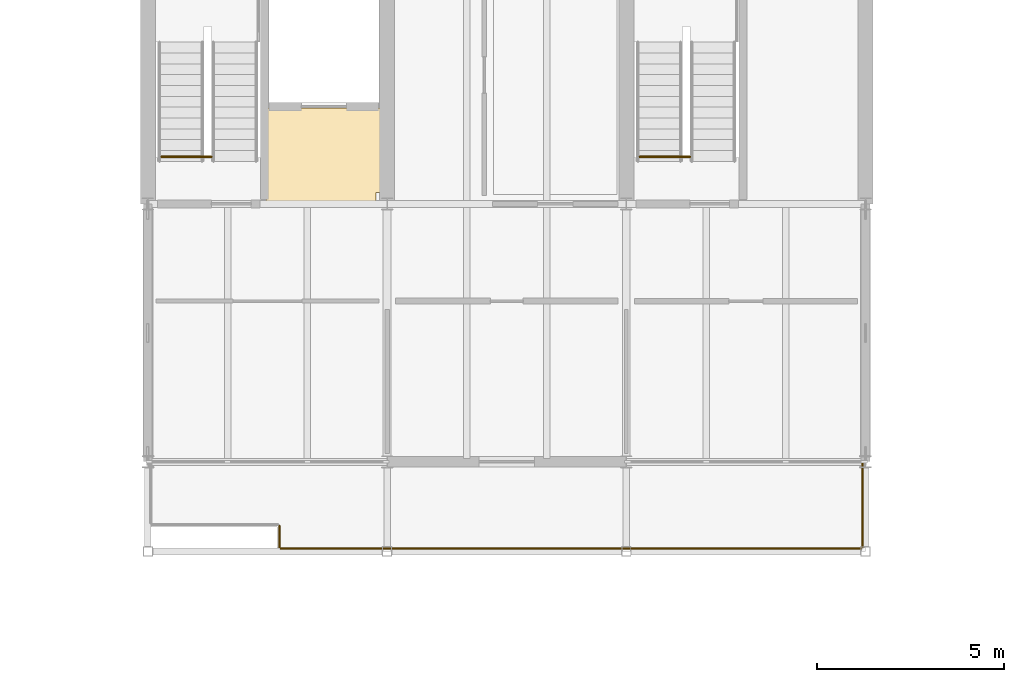
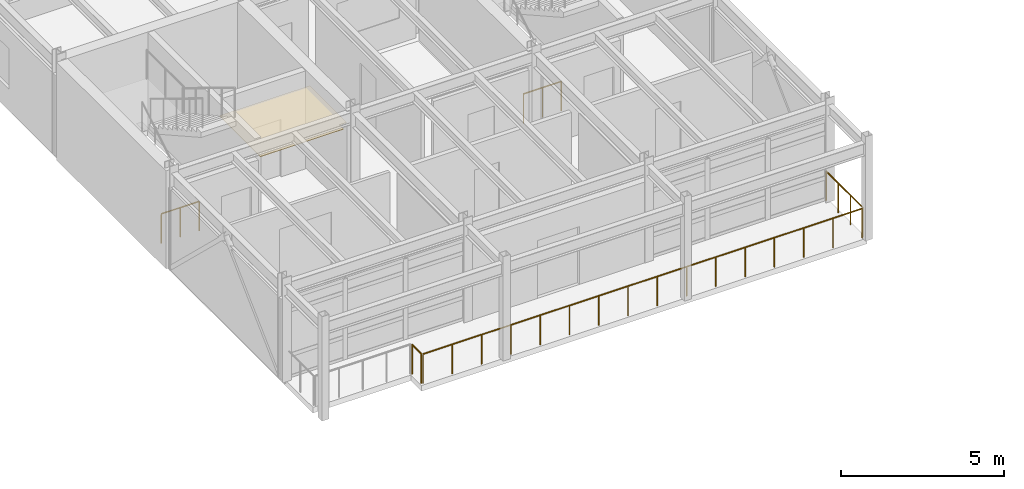
# One storey, part 47 of 49: 5 railings, 1 covering.
"""IFC4 building model written with IfcOpenShell, lengths in metres."""

from ifc_helpers import new_model, si_unit, direction, frame, origin, origin_2d, place, context, subcontext, project, spatial, polyline, circle, outline, extrude, material, layer, layer_set, type_object, element, save


model = new_model("IFC4")

# Units and contexts
model_context = context("Model", 3, precision=1e-05, world=origin(), true_north=direction((0.0, 1.0)))
body_context = subcontext(model_context, "Body", "Model", "MODEL_VIEW")
ifc_project = project(units=[si_unit("LENGTHUNIT", "METRE"), si_unit("AREAUNIT", "SQUARE_METRE"), si_unit("VOLUMEUNIT", "CUBIC_METRE"), si_unit("PLANEANGLEUNIT", "RADIAN"), si_unit("MASSUNIT", "GRAM", prefix="KILO")], contexts=[model_context])

# Site, building, storey
site_placement = place(None, origin())
site = spatial("IfcSite", under=ifc_project, at=site_placement, CompositionType="ELEMENT")
building_placement = place(site_placement, origin())
building = spatial("IfcBuilding", under=site, at=building_placement, Name="Trelmorton Wharf Fire Station", CompositionType="ELEMENT")
storey_placement = place(building_placement, frame((0.0, 0.0, 9.60009765625)))
storey = spatial("IfcBuildingStorey", under=building, at=storey_placement, Name="L02", CompositionType="ELEMENT", Elevation=9.60009765625)

# Covering
ifc_material_1 = material(Name="Mineral fibre acoustic ceiling")
ifc_layer = layer(ifc_material_1, 0.02001953125)
ifc_layer_set = layer_set([ifc_layer], Name="Mineral fibre acoustic ceiling")
covering_type = type_object("IfcCoveringType", Name="CV_CEIL_ACOU", PredefinedType="CEILING", material=ifc_layer_set)
covering_placement = place(storey_placement, frame((0.0, 0.0, 2.97998046875)))
element("IfcCovering", 1, at=covering_placement, inside=storey, type_object=covering_type, Name="CV-CLG-036", PredefinedType="CEILING", context=body_context, shape_type="SweptSolid", body=[
    extrude(outline(polyline([(73.9599609375, 67.239990234375), (73.9599609375, 69.760009765625), (77.159912109375, 69.760009765625), (77.159912109375, 67.5), (76.89990234375, 67.5), (76.89990234375, 67.239990234375), (73.9599609375, 67.239990234375)])), origin(), (0.0, 0.0, 1.0), 0.02001953125),
])

# Railings
ifc_material_2 = material(Name="Signal-red architectural steel Grade 350", Category="steel")
railing_type_1 = type_object("IfcRailingType", Name="RL_BAL_RED", PredefinedType="BALUSTRADE", material=ifc_material_2)
railing_1_placement = place(storey_placement, frame((74.320068359375, 58.580078125, 0.0)))
element("IfcRailing", 2, at=railing_1_placement, inside=storey, type_object=railing_type_1, Name="RL-DECK-L02-059", PredefinedType="BALUSTRADE", context=body_context, shape_type="SweptSolid", body=[
    extrude(circle(Radius=0.02392578125, at=origin_2d()), frame((0.0, 0.0, 1.09619140625), z_axis=(0.0, -1.0, 0.0), x_axis=(1.0, 0.0, 0.0)), (0.0, 0.0, 1.0), 0.56005859375),
    extrude(circle(Radius=0.02099609375, at=origin_2d()), origin(), (0.0, 0.0, 1.0), 1.072021484375),
    extrude(circle(Radius=0.02099609375, at=origin_2d()), frame((0.0, -0.56005859375, 0.0)), (0.0, 0.0, 1.0), 1.072021484375),
])
railing_2_placement = place(storey_placement, frame((74.360107421875, 57.97998046875, 0.0)))
element("IfcRailing", 3, at=railing_2_placement, inside=storey, type_object=railing_type_1, Name="RL-DECK-L02-060", PredefinedType="BALUSTRADE", context=body_context, shape_type="SweptSolid", body=[
    extrude(circle(Radius=0.02392578125, at=origin_2d()), frame((0.0, 0.0, 1.09619140625), z_axis=(1.0, 0.0, 0.0), x_axis=(0.0, 1.0, 0.0)), (0.0, 0.0, 1.0), 15.519775390625),
    extrude(circle(Radius=0.02099609375, at=origin_2d()), origin(), (0.0, 0.0, 1.0), 1.072021484375),
    extrude(circle(Radius=0.02099609375, at=origin_2d()), frame((1.03466796875, 0.0, 0.0)), (0.0, 0.0, 1.0), 1.072021484375),
    extrude(circle(Radius=0.02099609375, at=origin_2d()), frame((2.0693359375, 0.0, 0.0)), (0.0, 0.0, 1.0), 1.072021484375),
    extrude(circle(Radius=0.02099609375, at=origin_2d()), frame((3.10400390625, 0.0, 0.0)), (0.0, 0.0, 1.0), 1.072021484375),
    extrude(circle(Radius=0.02099609375, at=origin_2d()), frame((4.138671875, 0.0, 0.0)), (0.0, 0.0, 1.0), 1.072021484375),
    extrude(circle(Radius=0.02099609375, at=origin_2d()), frame((5.17333984375, 0.0, 0.0)), (0.0, 0.0, 1.0), 1.072021484375),
    extrude(circle(Radius=0.02099609375, at=origin_2d()), frame((6.2080078125, 0.0, 0.0)), (0.0, 0.0, 1.0), 1.072021484375),
    extrude(circle(Radius=0.02099609375, at=origin_2d()), frame((7.24267578125, 0.0, 0.0)), (0.0, 0.0, 1.0), 1.072021484375),
    extrude(circle(Radius=0.02099609375, at=origin_2d()), frame((8.277099609375, 0.0, 0.0)), (0.0, 0.0, 1.0), 1.072021484375),
    extrude(circle(Radius=0.02099609375, at=origin_2d()), frame((9.311767578125, 0.0, 0.0)), (0.0, 0.0, 1.0), 1.072021484375),
    extrude(circle(Radius=0.02099609375, at=origin_2d()), frame((10.346435546875, 0.0, 0.0)), (0.0, 0.0, 1.0), 1.072021484375),
    extrude(circle(Radius=0.02099609375, at=origin_2d()), frame((11.381103515625, 0.0, 0.0)), (0.0, 0.0, 1.0), 1.072021484375),
    extrude(circle(Radius=0.02099609375, at=origin_2d()), frame((12.415771484375, 0.0, 0.0)), (0.0, 0.0, 1.0), 1.072021484375),
    extrude(circle(Radius=0.02099609375, at=origin_2d()), frame((13.450439453125, 0.0, 0.0)), (0.0, 0.0, 1.0), 1.072021484375),
    extrude(circle(Radius=0.02099609375, at=origin_2d()), frame((14.485107421875, 0.0, 0.0)), (0.0, 0.0, 1.0), 1.072021484375),
    extrude(circle(Radius=0.02099609375, at=origin_2d()), frame((15.519775390625, 0.0, 0.0)), (0.0, 0.0, 1.0), 1.072021484375),
])
railing_3_placement = place(storey_placement, frame((89.919921875, 58.02001953125, 0.0)))
element("IfcRailing", 4, at=railing_3_placement, inside=storey, type_object=railing_type_1, Name="RL-DECK-L02-061", PredefinedType="BALUSTRADE", context=body_context, shape_type="SweptSolid", body=[
    extrude(circle(Radius=0.02392578125, at=origin_2d()), frame((0.0, 0.0, 1.09619140625), z_axis=(0.0, 1.0, 0.0), x_axis=(-1.0, 0.0, 0.0)), (0.0, 0.0, 1.0), 2.239990234375),
    extrude(circle(Radius=0.02099609375, at=origin_2d()), origin(), (0.0, 0.0, 1.0), 1.072021484375),
    extrude(circle(Radius=0.02099609375, at=origin_2d()), frame((0.0, 0.74658203125, 0.0)), (0.0, 0.0, 1.0), 1.072021484375),
    extrude(circle(Radius=0.02099609375, at=origin_2d()), frame((0.0, 1.493408203125, 0.0)), (0.0, 0.0, 1.0), 1.072021484375),
    extrude(circle(Radius=0.02099609375, at=origin_2d()), frame((0.0, 2.239990234375, 0.0)), (0.0, 0.0, 1.0), 1.072021484375),
])
ifc_material_3 = material(Name="Stainless steel 316 marine grade", Category="steel")
railing_type_2 = type_object("IfcRailingType", Name="RL_WELL_1100", PredefinedType="BALUSTRADE", material=ifc_material_3)
for number, where, name in (
    (5, (71.159912109375, 68.4599609375, 0.0), "RL-UPWELL-STR-C6-L01-22"),
    (6, (83.9599609375, 68.4599609375, 0.0), "RL-UPWELL-STR-C6B-L01-28"),
):
    element("IfcRailing", number, at=place(storey_placement, frame(where)), inside=storey, type_object=railing_type_2, Name=name, PredefinedType="BALUSTRADE", context=body_context, shape_type="SweptSolid", body=[
        extrude(circle(Radius=0.02392578125, at=origin_2d()), frame((0.0, 0.0, 1.09619140625), z_axis=(1.0, 0.0, 0.0), x_axis=(0.0, 1.0, 0.0)), (0.0, 0.0, 1.0), 1.340087890625),
        extrude(circle(Radius=0.02099609375, at=origin_2d()), origin(), (0.0, 0.0, 1.0), 1.072021484375),
        extrude(circle(Radius=0.02099609375, at=origin_2d()), frame((0.669921875, 0.0, 0.0)), (0.0, 0.0, 1.0), 1.072021484375),
        extrude(circle(Radius=0.02099609375, at=origin_2d()), frame((1.340087890625, 0.0, 0.0)), (0.0, 0.0, 1.0), 1.072021484375),
    ])

save(model, "model.ifc")
